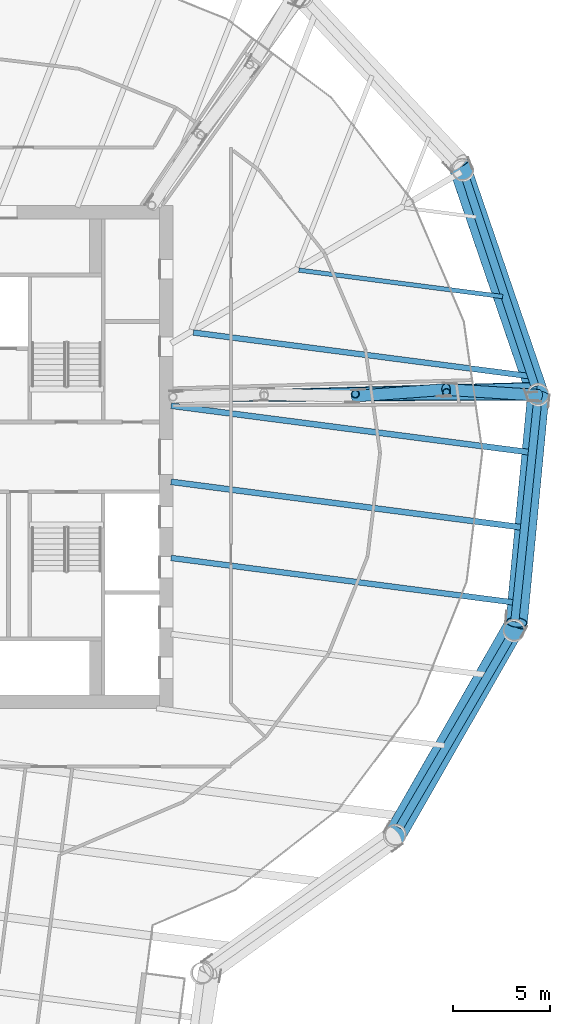
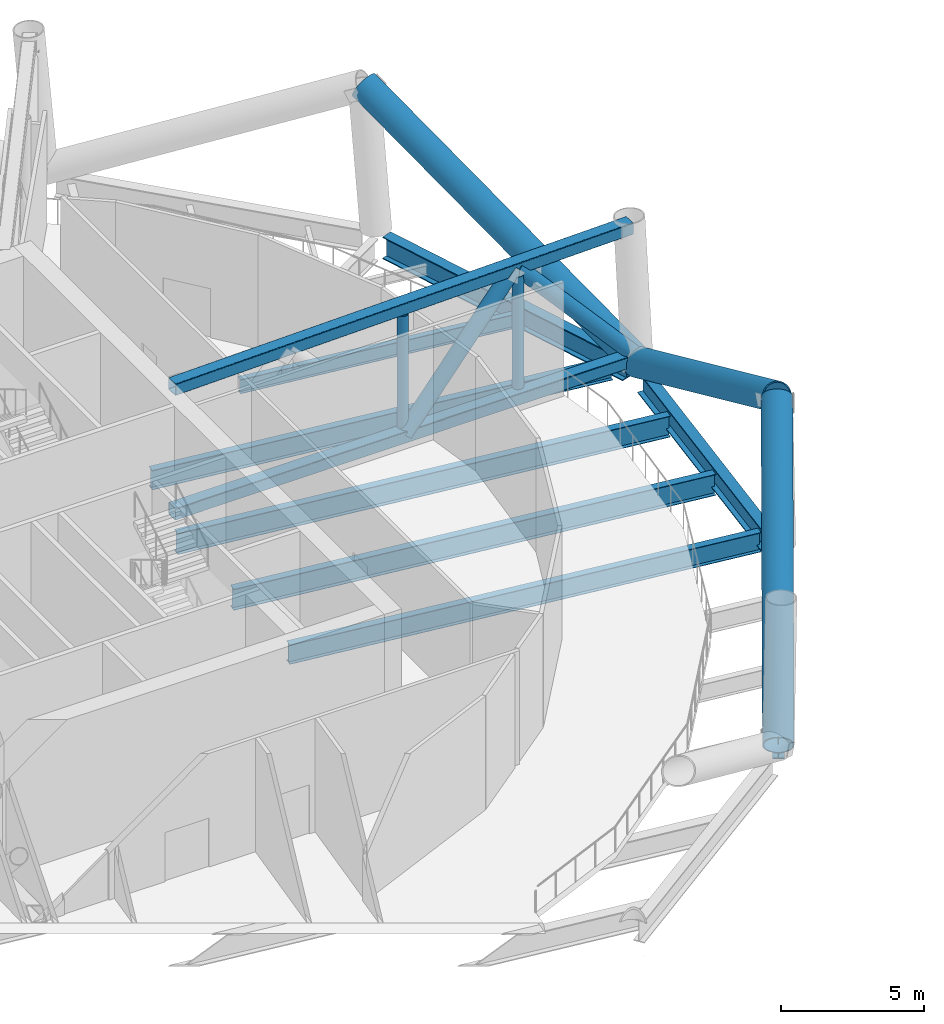
# One storey, part 7 of 36: 9 members, 8 beams.
"""IFC4 building model written with IfcOpenShell, lengths in metres."""

import ifcopenshell
import ifcopenshell.guid

model = None  # the IFC model being written
_history = None  # IfcOwnerHistory: only IFC2X3 demands one
_inside = {}  # id of a spatial element -> (the spatial element, [elements in it])
_under = {}  # id of a project, library or spatial element -> (it, [spatial elements below it])
_declared = {}  # id of a project -> (the project, [libraries it declares])
_typed = {}  # id of a type object -> (the type object, [elements of that type])
_made_of = {}  # id of a material, layer set ... -> (it, [elements and type objects made of it])


def new_model(schema):
    """Start an empty IFC model of exactly this schema.

    Asked for "IFC4X3", IfcOpenShell would pick the latest addendum, in which some entities
    have other attributes; the version numbers below select the first issue.
    IFC2X3 requires an IfcOwnerHistory on every rooted entity: one is made here for all.
    """
    global model, _history
    if schema == "IFC4X3":
        model = ifcopenshell.file(schema_version=(4, 3, 0, 0))
    else:
        model = ifcopenshell.file(schema=schema)
    _inside.clear()
    _under.clear()
    _declared.clear()
    _typed.clear()
    _made_of.clear()
    _history = None
    if model.schema == "IFC2X3":
        org = make("IfcOrganization", Name="unknown")
        user = make(
            "IfcPersonAndOrganization",
            ThePerson=make("IfcPerson", FamilyName="unknown"),
            TheOrganization=org,
        )
        app = make(
            "IfcApplication",
            ApplicationDeveloper=org,
            Version="unknown",
            ApplicationFullName="unknown",
            ApplicationIdentifier="unknown",
        )
        _history = make(
            "IfcOwnerHistory",
            OwningUser=user,
            OwningApplication=app,
            ChangeAction="ADDED",
            CreationDate=0,
        )
    return model


def make(cls, **values):
    """One entity of the class cls with the attributes given. An attribute that is None is left unset."""
    return model.create_entity(
        cls, **{name: value for name, value in values.items() if value is not None}
    )


def rooted(cls, **values):
    """An entity with a GlobalId (a new one), such as an element, a storey or a relation."""
    return make(cls, GlobalId=ifcopenshell.guid.new(), OwnerHistory=_history, **values)


def si_unit(unit_type, name, prefix=None):
    """IfcSIUnit, for example si_unit("LENGTHUNIT", "METRE", prefix="MILLI")."""
    return make("IfcSIUnit", UnitType=unit_type, Prefix=prefix, Name=name)


def assignment(units):
    """IfcUnitAssignment: the units of a project."""
    return None if units is None else make("IfcUnitAssignment", Units=units)


def point(xyz):
    """IfcCartesianPoint."""
    return None if xyz is None else make("IfcCartesianPoint", Coordinates=xyz)


def direction(xyz):
    """IfcDirection."""
    return None if xyz is None else make("IfcDirection", DirectionRatios=xyz)


def frame(location, z_axis=None, x_axis=None):
    """IfcAxis2Placement3D, a coordinate frame: its origin and axes. An axis left out is left unset."""
    return make(
        "IfcAxis2Placement3D",
        Location=point(location),
        Axis=direction(z_axis),
        RefDirection=direction(x_axis),
    )


def frame_2d(location, x_axis=None):
    """IfcAxis2Placement2D, a coordinate frame in the plane: its origin and x axis."""
    return make(
        "IfcAxis2Placement2D", Location=point(location), RefDirection=direction(x_axis)
    )


def origin():
    """The frame at (0, 0, 0) with its axes left unset."""
    return frame((0.0, 0.0, 0.0))


def origin_2d():
    """The frame at (0, 0) in the plane with its x axis left unset."""
    return frame_2d((0.0, 0.0))


def place(relative_to, where):
    """IfcLocalPlacement: puts the frame where relative to a parent placement (None: the world)."""
    return make(
        "IfcLocalPlacement", PlacementRelTo=relative_to, RelativePlacement=where
    )


def context(
    kind, dimensions, precision=None, world=None, true_north=None, identifier=None
):
    """IfcGeometricRepresentationContext, for example the 3D "Model" context."""
    return make(
        "IfcGeometricRepresentationContext",
        ContextIdentifier=identifier,
        ContextType=kind,
        CoordinateSpaceDimension=dimensions,
        Precision=precision,
        WorldCoordinateSystem=world,
        TrueNorth=true_north,
    )


def subcontext(parent, identifier, kind, view, scale=None):
    """IfcGeometricRepresentationSubContext, for example "Body" below "Model"."""
    return make(
        "IfcGeometricRepresentationSubContext",
        ContextIdentifier=identifier,
        ContextType=kind,
        ParentContext=parent,
        TargetScale=scale,
        TargetView=view,
    )


def project(units=None, contexts=None):
    """IfcProject with its units and contexts."""
    return rooted(
        "IfcProject",
        Name="project",
        RepresentationContexts=contexts,
        UnitsInContext=assignment(units),
    )


def spatial(cls, under=None, at=None, **own):
    """A site, building, storey or space (cls), placed at a placement, below another one or the project."""
    s = rooted(cls, ObjectPlacement=at, **own)
    if under is not None:
        _under.setdefault(under.id(), (under, []))[1].append(s)
    return s


def profile(cls, at=None, kind="AREA", **sizes):
    """A parametric profile (cls). Its sizes go by their IFC names, for example OverallWidth=200.0."""
    return make(cls, ProfileType=kind, Position=at, **sizes)


def hollow_rectangle(**sizes):
    """IfcRectangleHollowProfileDef."""
    return profile("IfcRectangleHollowProfileDef", **sizes)


def hollow_circle(**sizes):
    """IfcCircleHollowProfileDef."""
    return profile("IfcCircleHollowProfileDef", **sizes)


def i_section(**sizes):
    """IfcIShapeProfileDef."""
    return profile("IfcIShapeProfileDef", **sizes)


def extrude(swept, where, along, depth):
    """IfcExtrudedAreaSolid: the profile swept, set in the frame where, extruded along a direction by depth."""
    return make(
        "IfcExtrudedAreaSolid",
        SweptArea=swept,
        Position=where,
        ExtrudedDirection=direction(along),
        Depth=depth,
    )


def shape(context_of_items, identifier, shape_type, items):
    """IfcShapeRepresentation: the items that make up one representation, for example the "Body"."""
    return make(
        "IfcShapeRepresentation",
        ContextOfItems=context_of_items,
        RepresentationIdentifier=identifier,
        RepresentationType=shape_type,
        Items=items,
    )


def material(Name=None, Category=None):
    """IfcMaterial."""
    return make("IfcMaterial", Name=Name, Category=Category)


def material_profile(
    of_material, cross_section, Name=None, Category=None, Priority=None
):
    """IfcMaterialProfile: a cross section and its material."""
    return make(
        "IfcMaterialProfile",
        Name=Name,
        Material=of_material,
        Profile=cross_section,
        Priority=Priority,
        Category=Category,
    )


def profile_set(profiles, Name=None, composite=None):
    """IfcMaterialProfileSet."""
    return make(
        "IfcMaterialProfileSet",
        Name=Name,
        MaterialProfiles=profiles,
        CompositeProfile=composite,
    )


def made_of(thing, what):
    """Note that an element or type object is made of a material, layer set ...; save() writes the relation."""
    if what is not None:
        _made_of.setdefault(what.id(), (what, []))[1].append(thing)
    return thing


def type_object(cls, material=None, **own):
    """A type object (cls), such as IfcWallType, which elements share."""
    return made_of(rooted(cls, **own), material)


def element(
    cls,
    number,
    at=None,
    inside=None,
    cuts=None,
    type_object=None,
    material=None,
    context=None,
    identifier="Body",
    shape_type=None,
    held_by="IfcProductDefinitionShape",
    body=None,
    shapes=None,
    **own,
):
    """One element of the class cls, such as IfcWall. Its Tag is "e" and its number.

    at: its placement. inside: the storey or other place that contains it. cuts: it is an
    opening in that element (IfcRelVoidsElement). A single representation is given by context,
    identifier, shape_type and body (its items); several are given by shapes. held_by: the class
    of the entity that holds the representations. save() writes the other relations.
    """
    e = rooted(cls, Tag="e%d" % number, ObjectPlacement=at, **own)
    if body is not None:
        shapes = [shape(context, identifier, shape_type, body)]
    if shapes is not None:
        e.Representation = make(held_by, Representations=shapes)
    if inside is not None:
        _inside.setdefault(inside.id(), (inside, []))[1].append(e)
    if cuts is not None:
        rooted(
            "IfcRelVoidsElement", RelatingBuildingElement=cuts, RelatedOpeningElement=e
        )
    if type_object is not None:
        _typed.setdefault(type_object.id(), (type_object, []))[1].append(e)
    return made_of(e, material)


def aggregate(whole, parts):
    """IfcRelAggregates: a whole, such as a stair, and the parts it consists of."""
    return rooted("IfcRelAggregates", RelatingObject=whole, RelatedObjects=parts)


def save(model, path):
    """Write the relations noted so far, then the file.

    IfcRelAggregates (storeys below a building ...), IfcRelContainedInSpatialStructure (elements
    in a storey), IfcRelDefinesByType, IfcRelAssociatesMaterial and IfcRelDeclares: one each for
    every whole, place, type object, material and project.
    """
    for whole, parts in _under.values():
        aggregate(whole, parts)
    for where, things in _inside.values():
        rooted(
            "IfcRelContainedInSpatialStructure",
            RelatedElements=things,
            RelatingStructure=where,
        )
    for kind, things in _typed.values():
        rooted("IfcRelDefinesByType", RelatedObjects=things, RelatingType=kind)
    for what, things in _made_of.values():
        rooted("IfcRelAssociatesMaterial", RelatedObjects=things, RelatingMaterial=what)
    for by, libraries in _declared.values():
        rooted("IfcRelDeclares", RelatingContext=by, RelatedDefinitions=libraries)
    model.write(path)


model = new_model("IFC4")

# Units and contexts
model_context = context("Model", 3, precision=1e-05, world=origin(), true_north=direction((0.0, 1.0)))
body_context = subcontext(model_context, "Body", "Model", "MODEL_VIEW")
ifc_project = project(units=[si_unit("LENGTHUNIT", "METRE"), si_unit("AREAUNIT", "SQUARE_METRE"), si_unit("VOLUMEUNIT", "CUBIC_METRE"), si_unit("PLANEANGLEUNIT", "RADIAN"), si_unit("MASSUNIT", "GRAM", prefix="KILO")], contexts=[model_context])

# Site, building, storey
site_placement = place(None, origin())
site = spatial("IfcSite", under=ifc_project, at=site_placement, CompositionType="ELEMENT")
building_placement = place(site_placement, origin())
building = spatial("IfcBuilding", under=site, at=building_placement, Name="Tarsis Ring Headquarters", CompositionType="ELEMENT")
storey_placement = place(building_placement, frame((0.0, 0.0, 194.39990234375)))
storey = spatial("IfcBuildingStorey", under=building, at=storey_placement, Name="L45", CompositionType="ELEMENT", Elevation=194.39990234375)

# Beams
ifc_material = material(Name="Structural steel S355", Category="steel")
ifc_material_profile_1 = material_profile(ifc_material, i_section(OverallWidth=0.228271484375, OverallDepth=0.607177734375, WebThickness=0.01123046875, FlangeThickness=0.017333984375, at=origin_2d()), Name="W24x76")
ifc_profile_set_1 = profile_set([ifc_material_profile_1], Name="Structural steel S355")
beam_type_1 = type_object("IfcBeamType", Name="FB Floor beam W24x76", PredefinedType="JOIST", material=ifc_profile_set_1)
beam_1_placement = place(storey_placement, frame((16.5078125, 9.654296875, -0.603515625), z_axis=(0.9916720354, -0.128788874542, 0.0), x_axis=(0.128788874542, 0.9916720354, 0.0)))
element("IfcBeam", 1, at=beam_1_placement, inside=storey, type_object=beam_type_1, Name="Floor beam FB4", PredefinedType="JOIST", context=body_context, shape_type="SweptSolid", body=[
    extrude(i_section(OverallWidth=0.228271484375, OverallDepth=0.607177734375, WebThickness=0.01123046875, FlangeThickness=0.017333984375, at=origin_2d()), origin(), (0.0, 0.0, 1.0), 10.621337890625),
])
ifc_material_profile_2 = material_profile(ifc_material, i_section(OverallWidth=0.2919921875, OverallDepth=0.835693359375, WebThickness=0.013916015625, FlangeThickness=0.018798828125, at=origin_2d()), Name="W33x118")
ifc_profile_set_2 = profile_set([ifc_material_profile_2], Name="Structural steel S355")
beam_type_2 = type_object("IfcBeamType", Name="FB Floor beam W33x118", PredefinedType="JOIST", material=ifc_profile_set_2)
beam_2_placement = place(storey_placement, frame((11.055419921875, 6.4296875, -0.7177734375), z_axis=(0.99167019919, -0.128803012536, 0.0), x_axis=(0.128803012536, 0.99167019919, 0.0)))
element("IfcBeam", 2, at=beam_2_placement, inside=storey, type_object=beam_type_2, Name="Floor beam FB7", PredefinedType="JOIST", context=body_context, shape_type="SweptSolid", body=[
    extrude(i_section(OverallWidth=0.2919921875, OverallDepth=0.835693359375, WebThickness=0.013916015625, FlangeThickness=0.018798828125, at=origin_2d()), origin(), (0.0, 0.0, 1.0), 17.500732421875),
])
beam_3_placement = place(storey_placement, frame((9.90087890625, -5.21875, -0.7177734375), z_axis=(0.991671055679, -0.128796418153, 0.0), x_axis=(0.128796418153, 0.991671055679, 0.0)))
element("IfcBeam", 3, at=beam_3_placement, inside=storey, type_object=beam_type_2, Name="Floor beam FB7", PredefinedType="JOIST", context=body_context, shape_type="SweptSolid", body=[
    extrude(i_section(OverallWidth=0.2919921875, OverallDepth=0.835693359375, WebThickness=0.013916015625, FlangeThickness=0.018798828125, at=origin_2d()), origin(), (0.0, 0.0, 1.0), 17.903564453125),
])
ifc_material_profile_3 = material_profile(ifc_material, i_section(OverallWidth=0.3046875, OverallDepth=0.904296875, WebThickness=0.01513671875, FlangeThickness=0.02001953125, at=origin_2d()), Name="W36x135")
ifc_profile_set_3 = profile_set([ifc_material_profile_3], Name="Structural steel S355")
beam_type_3 = type_object("IfcBeamType", Name="FB Floor beam W36x135", PredefinedType="JOIST", material=ifc_profile_set_3)
beam_4_placement = place(storey_placement, frame((9.90087890625, 2.64697265625, -0.751953125), z_axis=(0.991670537136, -0.128800410618, 0.0), x_axis=(0.128800410618, 0.991670537136, 0.0)))
element("IfcBeam", 4, at=beam_4_placement, inside=storey, type_object=beam_type_3, Name="Floor beam FB8", PredefinedType="JOIST", context=body_context, shape_type="SweptSolid", body=[
    extrude(i_section(OverallWidth=0.3046875, OverallDepth=0.904296875, WebThickness=0.01513671875, FlangeThickness=0.02001953125, at=origin_2d()), origin(), (0.0, 0.0, 1.0), 18.714111328125),
])
beam_5_placement = place(storey_placement, frame((9.90087890625, -1.285888671875, -0.751953125), z_axis=(0.991670901272, -0.128797607005, 0.0), x_axis=(0.128797607005, 0.991670901272, 0.0)))
element("IfcBeam", 5, at=beam_5_placement, inside=storey, type_object=beam_type_3, Name="Floor beam FB8", PredefinedType="JOIST", context=body_context, shape_type="SweptSolid", body=[
    extrude(i_section(OverallWidth=0.3046875, OverallDepth=0.904296875, WebThickness=0.01513671875, FlangeThickness=0.02001953125, at=origin_2d()), origin(), (0.0, 0.0, 1.0), 18.30908203125),
])

# Members
ifc_material_profile_4 = material_profile(ifc_material, hollow_rectangle(XDim=0.508056640625, YDim=0.508056640625, WallThickness=0.025390625, InnerFilletRadius=0.025390625, OuterFilletRadius=0.05078125, at=origin_2d()), Name="HSS 508x508x25")
ifc_profile_set_4 = profile_set([ifc_material_profile_4], Name="Structural steel S355")
member_type_1 = type_object("IfcMemberType", Name="OC Outrigger chord HSS 508x508x25", PredefinedType="CHORD", material=ifc_profile_set_4)
member_1_placement = place(storey_placement, frame((10.0, 3.10009765625, 0.254150390625), z_axis=(0.999989455745, 0.004592210711, 0.0), x_axis=(-0.004592210711, 0.999989455745, 0.0)))
element("IfcMember", 6, at=member_1_placement, inside=storey, type_object=member_type_1, Name="Outrigger chord OC1", PredefinedType="CHORD", context=body_context, shape_type="SweptSolid", body=[
    extrude(hollow_rectangle(XDim=0.508056640625, YDim=0.508056640625, WallThickness=0.025390625, InnerFilletRadius=0.025390625, OuterFilletRadius=0.05078125, at=origin_2d()), origin(), (0.0, 0.0, 1.0), 18.873291015625),
])
member_2_placement = place(storey_placement, frame((10.0, 3.10009765625, 5.586181640625), z_axis=(0.999624273817, 0.027410056486, 0.0), x_axis=(-0.027410056486, 0.999624273817, 0.0)))
element("IfcMember", 7, at=member_2_placement, inside=storey, type_object=member_type_1, Name="Outrigger chord OC1", PredefinedType="CHORD", context=body_context, shape_type="SweptSolid", body=[
    extrude(hollow_rectangle(XDim=0.508056640625, YDim=0.508056640625, WallThickness=0.025390625, InnerFilletRadius=0.025390625, OuterFilletRadius=0.05078125, at=origin_2d()), origin(), (0.0, 0.0, 1.0), 18.829345703125),
])
ifc_material_profile_5 = material_profile(ifc_material, hollow_circle(Radius=0.3046875, WallThickness=0.02490234375, at=origin_2d()), Name="CHS 610x25")
ifc_profile_set_5 = profile_set([ifc_material_profile_5], Name="Structural steel S355")
member_type_2 = type_object("IfcMemberType", Name="OD Outrigger diagonal CHS 610x25", PredefinedType="BRACE", material=ifc_profile_set_5)
member_3_placement = place(storey_placement, frame((19.4365234375, 3.143310546875, 0.254150390625), z_axis=(0.658900249027, 0.048394968734, 0.750671958203), x_axis=(-0.073250781566, 0.997313553001, 0.0)))
element("IfcMember", 8, at=member_3_placement, inside=storey, type_object=member_type_2, Name="Outrigger diagonal OD1", PredefinedType="BRACE", context=body_context, shape_type="SweptSolid", body=[
    extrude(hollow_circle(Radius=0.3046875, WallThickness=0.02490234375, at=origin_2d()), origin(), (0.0, 0.0, 1.0), 7.10302734375),
])
member_4_placement = place(storey_placement, frame((24.11669921875, 3.487060546875, 5.586181640625), z_axis=(0.665086365808, -0.04199036187, -0.745584961977), x_axis=(0.063009746502, 0.998012911663, 0.0)))
element("IfcMember", 9, at=member_4_placement, inside=storey, type_object=member_type_2, Name="Outrigger diagonal OD1", PredefinedType="BRACE", context=body_context, shape_type="SweptSolid", body=[
    extrude(hollow_circle(Radius=0.3046875, WallThickness=0.02490234375, at=origin_2d()), origin(), (0.0, 0.0, 1.0), 7.1513671875),
])
ifc_material_profile_6 = material_profile(ifc_material, hollow_circle(Radius=0.203125, WallThickness=0.01611328125, at=origin_2d()), Name="CHS 406x16")
ifc_profile_set_6 = profile_set([ifc_material_profile_6], Name="Structural steel S355")
member_type_3 = type_object("IfcMemberType", Name="OV Outrigger post CHS 406x16", PredefinedType="STRUT", material=ifc_profile_set_6)
for number, where, z_axis, x_axis, name in (
    (10, (19.423828125, 3.250732421875, 0.508056640625), (0.0, 0.0, 1.0), (1.0, 0.0, 0.0), "Outrigger post OV1"),
    (11, (24.1357421875, 3.326171875, 0.508056640625), (0.0, 0.0, 1.0), (1.0, 0.0, 0.0), "Outrigger post OV1"),
):
    element("IfcMember", number, at=place(storey_placement, frame(where, z_axis=z_axis, x_axis=x_axis)), inside=storey, type_object=member_type_3, Name=name, PredefinedType="STRUT", context=body_context, shape_type="SweptSolid", body=[
        extrude(hollow_circle(Radius=0.203125, WallThickness=0.01611328125, at=origin_2d()), origin(), (0.0, 0.0, 1.0), 4.823974609375),
    ])
ifc_material_profile_7 = material_profile(ifc_material, hollow_circle(Radius=0.558837890625, WallThickness=0.044921875, at=origin_2d()), Name="CHS 1118x45")
ifc_profile_set_7 = profile_set([ifc_material_profile_7], Name="Structural steel S355")
member_type_4 = type_object("IfcMemberType", Name="TD Belt truss diagonal CHS 1118x45", PredefinedType="BRACE", material=ifc_profile_set_7)
member_5_placement = place(storey_placement, frame((21.441650390625, -19.59765625, 0.0), z_axis=(0.449186024031, 0.785064643554, 0.426503717753), x_axis=(-0.867967894811, 0.496620311281, 0.0)))
element("IfcMember", 12, at=member_5_placement, inside=storey, type_object=member_type_4, Name="Belt truss diagonal TD4", PredefinedType="BRACE", context=body_context, shape_type="SweptSolid", body=[
    extrude(hollow_circle(Radius=0.558837890625, WallThickness=0.044921875, at=origin_2d()), origin(), (0.0, 0.0, 1.0), 14.06787109375),
])
member_6_placement = place(storey_placement, frame((28.87548828125, 3.166259765625, 0.0), z_axis=(-0.084364647038, -0.886955873068, 0.454083566714), x_axis=(0.995506836381, -0.094689697003, 0.0)))
element("IfcMember", 13, at=member_6_placement, inside=storey, type_object=member_type_4, Name="Belt truss diagonal TD4", PredefinedType="BRACE", context=body_context, shape_type="SweptSolid", body=[
    extrude(hollow_circle(Radius=0.558837890625, WallThickness=0.044921875, at=origin_2d()), origin(), (0.0, 0.0, 1.0), 13.21337890625),
])
member_7_placement = place(storey_placement, frame((28.87548828125, 3.166259765625, 0.0), z_axis=(-0.293119859876, 0.855670496813, 0.42650761849), x_axis=(-0.946031688252, -0.324074134765, 0.0)))
element("IfcMember", 14, at=member_7_placement, inside=storey, type_object=member_type_4, Name="Belt truss diagonal TD4", PredefinedType="BRACE", context=body_context, shape_type="SweptSolid", body=[
    extrude(hollow_circle(Radius=0.558837890625, WallThickness=0.044921875, at=origin_2d()), origin(), (0.0, 0.0, 1.0), 14.067626953125),
])

# Beams
ifc_material_profile_8 = material_profile(ifc_material, i_section(OverallWidth=0.42431640625, OverallDepth=0.947509765625, WebThickness=0.02392578125, FlangeThickness=0.042724609375, at=origin_2d()), Name="W36x302")
ifc_profile_set_8 = profile_set([ifc_material_profile_8], Name="Structural steel S355")
beam_type_4 = type_object("IfcBeamType", Name="XG Ring girder W36x302", PredefinedType="BEAM", material=ifc_profile_set_8)
for number, where, z_axis, x_axis, name in (
    (15, (21.695068359375, -19.163330078125, -0.4736328125), (0.503873725826, 0.863777325716, 0.0), (-0.863777325716, 0.503873725826, 0.0), "Ring girder XG1"),
    (16, (27.665283203125, -8.51708984375, -0.4736328125), (0.10303769181, 0.994677452276, 0.0), (-0.994677452276, 0.10303769181, 0.0), "Ring girder XG1"),
):
    element("IfcBeam", number, at=place(storey_placement, frame(where, z_axis=z_axis, x_axis=x_axis)), inside=storey, type_object=beam_type_4, Name=name, PredefinedType="BEAM", context=body_context, shape_type="SweptSolid", body=[
        extrude(i_section(OverallWidth=0.42431640625, OverallDepth=0.947509765625, WebThickness=0.02392578125, FlangeThickness=0.042724609375, at=origin_2d()), origin(), (0.0, 0.0, 1.0), 11.242919921875),
    ])
beam_6_placement = place(storey_placement, frame((28.716552734375, 3.643310546875, -0.4736328125), z_axis=(-0.316123533241, 0.948718035947, 0.0), x_axis=(-0.948718035947, -0.316123533241, 0.0)))
element("IfcBeam", 17, at=beam_6_placement, inside=storey, type_object=beam_type_4, Name="Ring girder XG1", PredefinedType="BEAM", context=body_context, shape_type="SweptSolid", body=[
    extrude(i_section(OverallWidth=0.42431640625, OverallDepth=0.947509765625, WebThickness=0.02392578125, FlangeThickness=0.042724609375, at=origin_2d()), origin(), (0.0, 0.0, 1.0), 11.2431640625),
])

save(model, "model.ifc")
